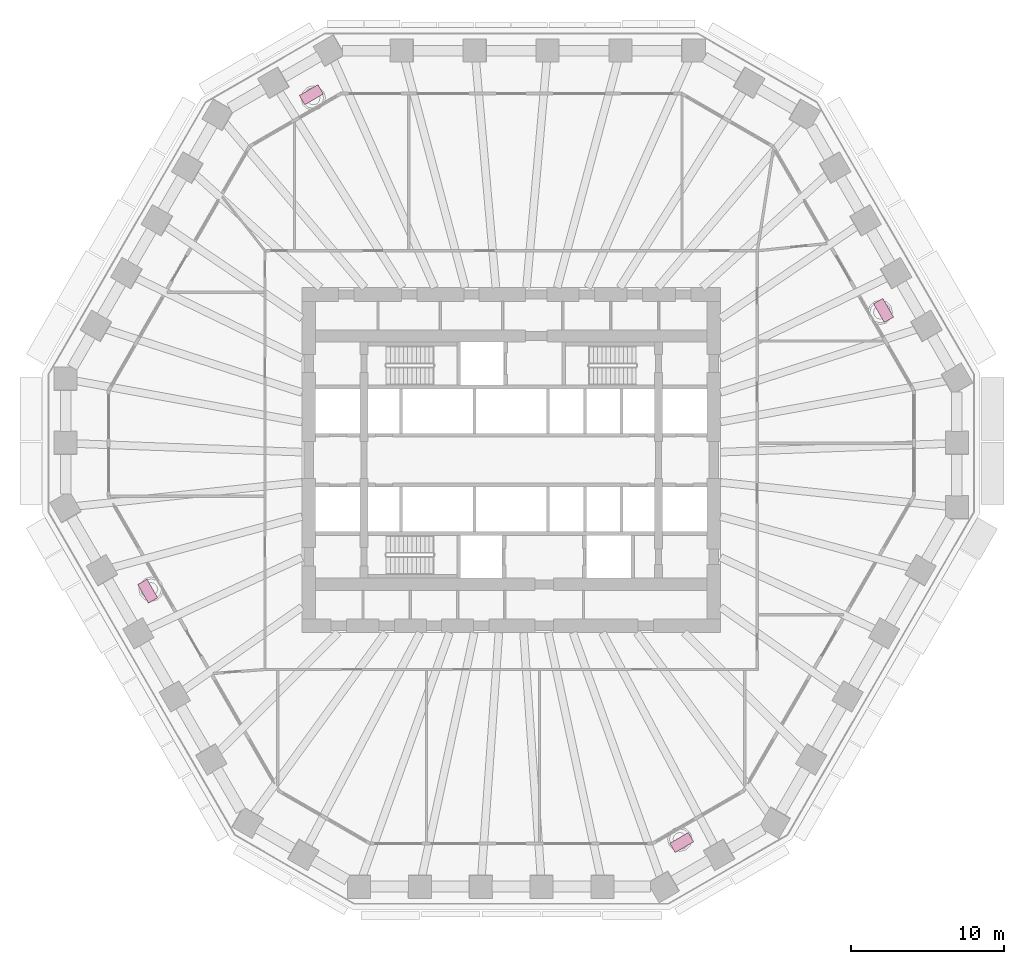
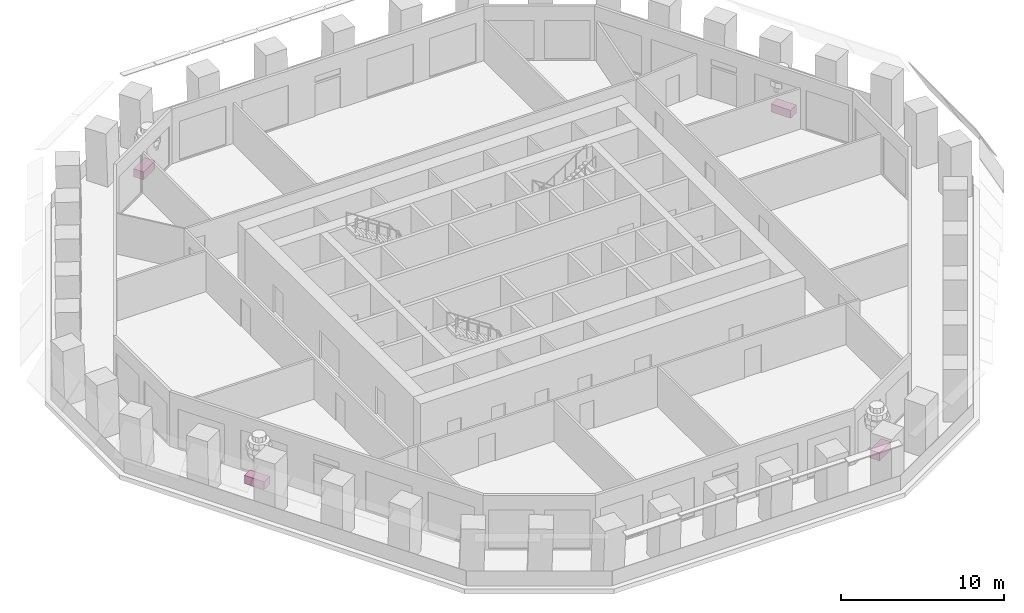
# One storey, part 11 of 12: 4 furniture elements.
"""IFC4 building model written with IfcOpenShell, lengths in metres."""

from ifc_helpers import new_model, si_unit, direction, frame, origin, origin_2d, place, context, subcontext, project, spatial, rectangle, extrude, material, type_object, element, save


model = new_model("IFC4")

# Units and contexts
model_context = context("Model", 3, precision=1e-05, world=origin(), true_north=direction((0.0, 1.0)))
body_context = subcontext(model_context, "Body", "Model", "MODEL_VIEW")
ifc_project = project(units=[si_unit("LENGTHUNIT", "METRE"), si_unit("AREAUNIT", "SQUARE_METRE"), si_unit("VOLUMEUNIT", "CUBIC_METRE"), si_unit("PLANEANGLEUNIT", "RADIAN"), si_unit("MASSUNIT", "GRAM", prefix="KILO")], contexts=[model_context])

# Site, building, storey
site_placement = place(None, origin())
site = spatial("IfcSite", under=ifc_project, at=site_placement, CompositionType="ELEMENT")
building_placement = place(site_placement, origin())
building = spatial("IfcBuilding", under=site, at=building_placement, Name="Frailejon Research Tower", CompositionType="ELEMENT")
storey_placement = place(building_placement, frame((0.0, 0.0, 49.800048828125)))
storey = spatial("IfcBuildingStorey", under=building, at=storey_placement, Name="L11", CompositionType="ELEMENT", Elevation=49.800048828125)

# Furniture
ifc_material = material(Name="Precast concrete C30/37 planter, terracotta", Category="masonry")
furniture_type = type_object("IfcFurnitureType", Name="Loggia planter 1400x700", AssemblyPlace="NOTDEFINED", PredefinedType="USERDEFINED", material=ifc_material)
for number, where, z_axis, x_axis, name in (
    (1, (24.279052734375, 9.760009765625, 0.0), (0.0, 0.0, 1.0), (-0.5, 0.866025403784, 0.0), "Planter L11"),
    (2, (-13.03369140625, 23.826904296875, 0.0), (0.0, 0.0, 1.0), (-0.866025403784, -0.5, 0.0), "Planter L11"),
    (3, (-23.7041015625, -8.543212890625, 0.0), (0.0, 0.0, 1.0), (0.5, -0.866025403784, 0.0), "Planter L11"),
    (4, (11.11767578125, -24.93310546875, 0.0), (0.0, 0.0, 1.0), (0.866025403784, 0.5, 0.0), "Planter L11"),
):
    element("IfcFurniture", number, at=place(storey_placement, frame(where, z_axis=z_axis, x_axis=x_axis)), inside=storey, type_object=furniture_type, Name=name, ObjectType="PLANTER", PredefinedType="USERDEFINED", context=body_context, shape_type="SweptSolid", body=[
        extrude(rectangle(XDim=1.39990234375, YDim=0.699951171875, at=origin_2d()), origin(), (0.0, 0.0, 1.0), 0.60009765625),
    ])

save(model, "model.ifc")
